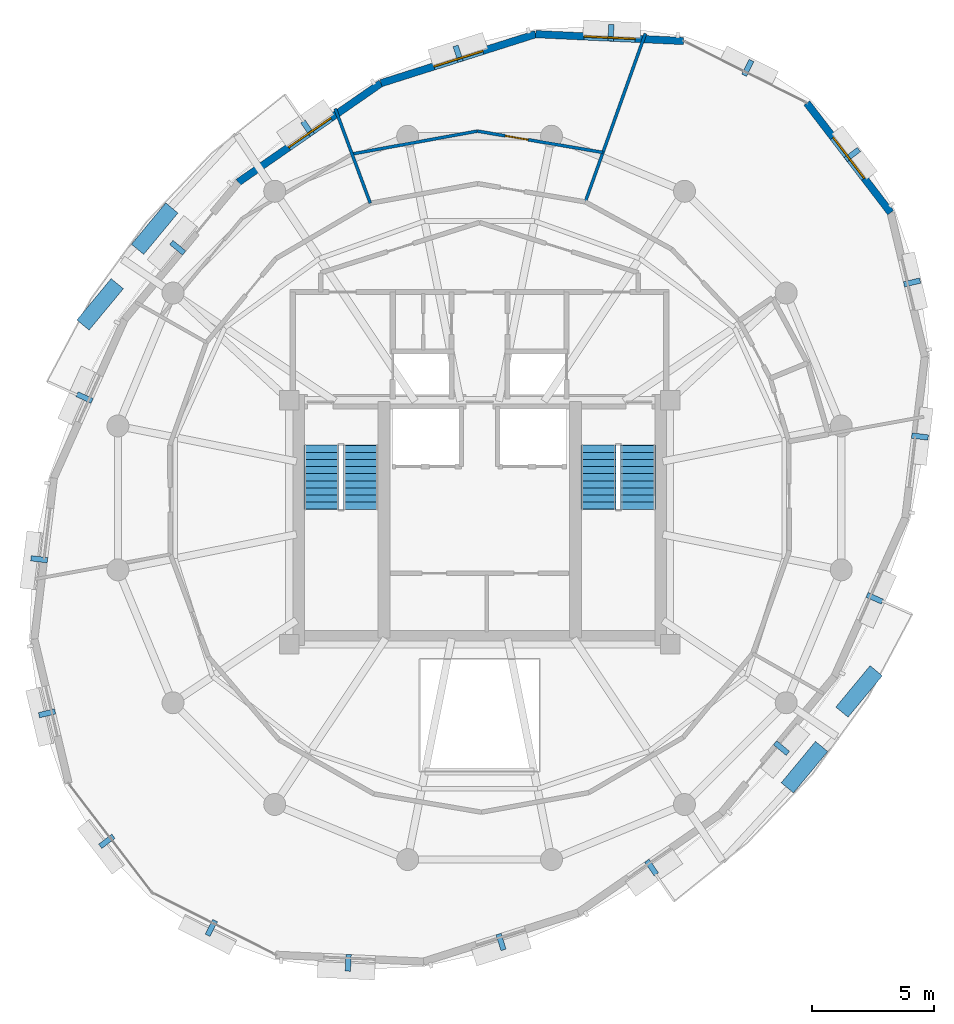
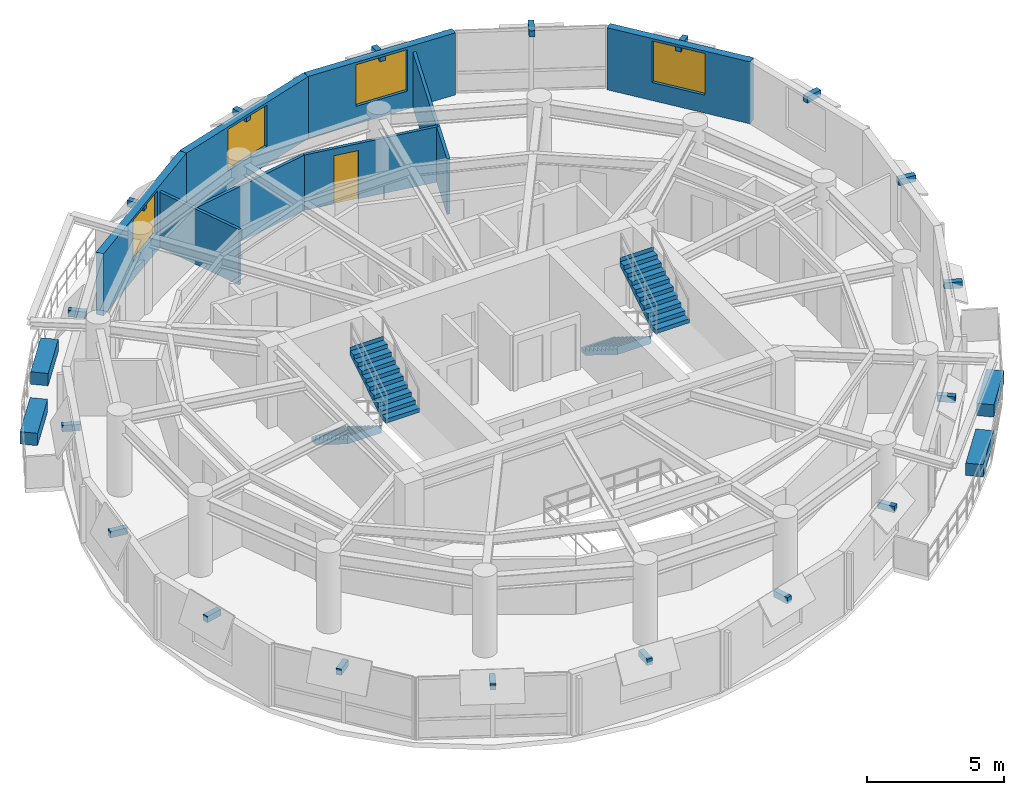
# One storey, part 9 of 11: 22 discrete accessories, 8 walls, 4 stair flights, 4 windows, 1 door, 5 openings, 2 elements without a shape of their own.
"""IFC4 building model written with IfcOpenShell, lengths in metres."""

from ifc_helpers import new_model, si_unit, direction, frame, frame_2d, origin, origin_2d, place, context, subcontext, project, spatial, polyline, rectangle, outline, extrude, material, layer, layer_set, type_object, element, fill, aggregate, save


model = new_model("IFC4")

# Units and contexts
model_context = context("Model", 3, precision=1e-05, world=origin(), true_north=direction((0.0, 1.0)))
body_context = subcontext(model_context, "Body", "Model", "MODEL_VIEW")
ifc_project = project(units=[si_unit("LENGTHUNIT", "METRE"), si_unit("AREAUNIT", "SQUARE_METRE"), si_unit("VOLUMEUNIT", "CUBIC_METRE"), si_unit("PLANEANGLEUNIT", "RADIAN"), si_unit("MASSUNIT", "GRAM", prefix="KILO"), si_unit("THERMODYNAMICTEMPERATUREUNIT", "KELVIN"), si_unit("POWERUNIT", "WATT")], contexts=[model_context])

# Site, building, storey
site_placement = place(None, origin())
site = spatial("IfcSite", under=ifc_project, at=site_placement, CompositionType="ELEMENT")
building_placement = place(site_placement, origin())
building = spatial("IfcBuilding", under=site, at=building_placement, Name="Ocrelia Relay Tower", CompositionType="ELEMENT")
storey_placement = place(building_placement, frame((0.0, 0.0, 241.199951171875)))
storey = spatial("IfcBuildingStorey", under=building, at=storey_placement, Name="L59", CompositionType="ELEMENT", Elevation=241.199951171875)

# Wall, opening, window
ifc_material_1 = material(Name="Precast concrete C40/50 with oxide terracotta", Category="masonry")
ifc_layer_1 = layer(ifc_material_1, 0.300048828125, Name="Precast concrete C40/50 with oxide terracotta")
ifc_layer_set_1 = layer_set([ifc_layer_1], Name="Precast concrete C40/50 with oxide terracotta")
wall_type_1 = type_object("IfcWallType", Name="W-EXT-TERR-300", PredefinedType="SOLIDWALL", material=ifc_layer_set_1)
wall_1_placement = place(storey_placement, frame((42.35205078125, 44.707763671875, 0.0), z_axis=(0.0, 0.0, 1.0), x_axis=(-0.998917432733, 0.046518411209, 0.0)))
wall_1 = element("IfcWall", 1, at=wall_1_placement, inside=storey, type_object=wall_type_1, Name="L59 Oxide Terracotta Facade Wall 02", PredefinedType="SOLIDWALL", context=body_context, shape_type="SweptSolid", body=[
    extrude(rectangle(XDim=6.061767578125, YDim=0.300048828125, at=frame_2d((3.03076171875, 0.0))), origin(), (0.0, 0.0, 1.0), 2.760009765625),
])
opening_1_placement = place(wall_1_placement, frame((1.98095703125, 0.0, 0.800048828125)))
opening_1 = element("IfcOpeningElement", 2, at=opening_1_placement, cuts=wall_1, Name="Opening W-07", PredefinedType="OPENING", context=body_context, shape_type="SweptSolid", body=[
    extrude(rectangle(XDim=2.10009765625, YDim=1.85009765625, at=frame_2d((1.050048828125, 0.925048828125))), frame((0.0, 0.16015625, 0.0), z_axis=(0.0, -1.0, 0.0), x_axis=(1.0, 0.0, 0.0)), (0.0, 0.0, 1.0), 0.320068359375),
])
ifc_material_2 = material(Name="Clear double-glazed low-E glass", Category="glass")
window_type = type_object("IfcWindowType", Name="WIN-Z4-2100x2200", PartitioningType="DOUBLE_PANEL_VERTICAL", PredefinedType="WINDOW", material=ifc_material_2)
window_1_placement = place(opening_1_placement, origin())
window_1 = element("IfcWindow", 3, at=window_1_placement, inside=storey, type_object=window_type, Name="L59 Facade Module Window 02", OverallHeight=1.85009765625, OverallWidth=2.10009765625, PartitioningType="SINGLE_PANEL", PredefinedType="WINDOW", context=body_context, shape_type="SweptSolid", body=[
    extrude(rectangle(XDim=2.10009765625, YDim=1.85009765625, at=frame_2d((1.050048828125, 0.925048828125))), frame((0.0, 0.030029296875, 0.0), z_axis=(0.0, -1.0, 0.0), x_axis=(1.0, 0.0, 0.0)), (0.0, 0.0, 1.0), 0.06005859375),
])
fill(opening_1, window_1)

wall_2_placement = place(storey_placement, frame((36.296875, 44.98974609375, 0.0), z_axis=(0.0, 0.0, 1.0), x_axis=(-0.953208683958, -0.302313090729, 0.0)))
wall_2 = element("IfcWall", 4, at=wall_2_placement, inside=storey, type_object=wall_type_1, Name="L59 Oxide Terracotta Facade Wall 03", PredefinedType="SOLIDWALL", context=body_context, shape_type="SweptSolid", body=[
    extrude(rectangle(XDim=6.64306640625, YDim=0.300048828125, at=frame_2d((3.321533203125, 0.0))), origin(), (0.0, 0.0, 1.0), 2.760009765625),
])
opening_2_placement = place(wall_2_placement, frame((2.27197265625, 0.0, 0.800048828125)))
opening_2 = element("IfcOpeningElement", 5, at=opening_2_placement, cuts=wall_2, Name="Opening W-07", PredefinedType="OPENING", context=body_context, shape_type="SweptSolid", body=[
    extrude(rectangle(XDim=2.10009765625, YDim=1.85009765625, at=frame_2d((1.050048828125, 0.925048828125))), frame((0.0, 0.16015625, 0.0), z_axis=(0.0, -1.0, 0.0), x_axis=(1.0, 0.0, 0.0)), (0.0, 0.0, 1.0), 0.320068359375),
])
window_2_placement = place(opening_2_placement, origin())
window_2 = element("IfcWindow", 6, at=window_2_placement, inside=storey, type_object=window_type, Name="L59 Facade Module Window 03", OverallHeight=1.85009765625, OverallWidth=2.10009765625, PartitioningType="SINGLE_PANEL", PredefinedType="WINDOW", context=body_context, shape_type="SweptSolid", body=[
    extrude(rectangle(XDim=2.10009765625, YDim=1.85009765625, at=frame_2d((1.050048828125, 0.925048828125))), frame((0.0, 0.030029296875, 0.0), z_axis=(0.0, -1.0, 0.0), x_axis=(1.0, 0.0, 0.0)), (0.0, 0.0, 1.0), 0.06005859375),
])
fill(opening_2, window_2)

wall_3_placement = place(storey_placement, frame((29.964599609375, 42.9814453125, 0.0), z_axis=(0.0, 0.0, 1.0), x_axis=(-0.821575322213, -0.570099982399, 0.0)))
wall_3 = element("IfcWall", 7, at=wall_3_placement, inside=storey, type_object=wall_type_1, Name="L59 Oxide Terracotta Facade Wall 04", PredefinedType="SOLIDWALL", context=body_context, shape_type="SweptSolid", body=[
    extrude(rectangle(XDim=7.115234375, YDim=0.300048828125, at=frame_2d((3.5576171875, 0.0))), origin(), (0.0, 0.0, 1.0), 2.760009765625),
])
opening_3_placement = place(wall_3_placement, frame((2.508056640625, 0.0, 0.800048828125)))
opening_3 = element("IfcOpeningElement", 8, at=opening_3_placement, cuts=wall_3, Name="Opening W-07", PredefinedType="OPENING", context=body_context, shape_type="SweptSolid", body=[
    extrude(rectangle(XDim=2.10009765625, YDim=1.85009765625, at=frame_2d((1.050048828125, 0.925048828125))), frame((0.0, 0.16015625, 0.0), z_axis=(0.0, -1.0, 0.0), x_axis=(1.0, 0.0, 0.0)), (0.0, 0.0, 1.0), 0.320068359375),
])
window_3_placement = place(opening_3_placement, origin())
window_3 = element("IfcWindow", 9, at=window_3_placement, inside=storey, type_object=window_type, Name="L59 Facade Module Window 04", OverallHeight=1.85009765625, OverallWidth=2.10009765625, PartitioningType="SINGLE_PANEL", PredefinedType="WINDOW", context=body_context, shape_type="SweptSolid", body=[
    extrude(rectangle(XDim=2.10009765625, YDim=1.85009765625, at=frame_2d((1.050048828125, 0.925048828125))), frame((0.0, 0.030029296875, 0.0), z_axis=(0.0, -1.0, 0.0), x_axis=(1.0, 0.0, 0.0)), (0.0, 0.0, 1.0), 0.06005859375),
])
fill(opening_3, window_3)

wall_4_placement = place(storey_placement, frame((50.831787109375, 37.680419921875, 0.0), z_axis=(0.0, 0.0, 1.0), x_axis=(-0.607371519301, 0.794417923729, 0.0)))
wall_4 = element("IfcWall", 10, at=wall_4_placement, inside=storey, type_object=wall_type_1, Name="L59 Oxide Terracotta Facade Wall 18", PredefinedType="SOLIDWALL", context=body_context, shape_type="SweptSolid", body=[
    extrude(rectangle(XDim=5.650390625, YDim=0.300048828125, at=frame_2d((2.8251953125, 0.0))), origin(), (0.0, 0.0, 1.0), 2.760009765625),
])
opening_4_placement = place(wall_4_placement, frame((1.77490234375, 0.0, 0.800048828125)))
opening_4 = element("IfcOpeningElement", 11, at=opening_4_placement, cuts=wall_4, Name="Opening W-07", PredefinedType="OPENING", context=body_context, shape_type="SweptSolid", body=[
    extrude(rectangle(XDim=2.10009765625, YDim=1.85009765625, at=frame_2d((1.050048828125, 0.925048828125))), frame((0.0, 0.16015625, 0.0), z_axis=(0.0, -1.0, 0.0), x_axis=(1.0, 0.0, 0.0)), (0.0, 0.0, 1.0), 0.320068359375),
])
window_4_placement = place(opening_4_placement, origin())
window_4 = element("IfcWindow", 12, at=window_4_placement, inside=storey, type_object=window_type, Name="L59 Facade Module Window 18", OverallHeight=1.85009765625, OverallWidth=2.10009765625, PartitioningType="SINGLE_PANEL", PredefinedType="WINDOW", context=body_context, shape_type="SweptSolid", body=[
    extrude(rectangle(XDim=2.10009765625, YDim=1.85009765625, at=frame_2d((1.050048828125, 0.925048828125))), frame((0.0, 0.030029296875, 0.0), z_axis=(0.0, -1.0, 0.0), x_axis=(1.0, 0.0, 0.0)), (0.0, 0.0, 1.0), 0.06005859375),
])
fill(opening_4, window_4)

# Walls
ifc_material_3 = material(Name="Acoustic Fireboard Partition EI60", Category="gypsum")
ifc_layer_2 = layer(ifc_material_3, 0.125, Name="Acoustic Fireboard Partition EI60")
ifc_layer_set_2 = layer_set([ifc_layer_2], Name="Acoustic Fireboard Partition EI60")
wall_type_2 = type_object("IfcWallType", Name="W-PART-125", PredefinedType="PARTITIONING", material=ifc_layer_set_2)
wall_5_placement = place(storey_placement, frame((38.327880859375, 38.12060546875, 0.0), z_axis=(0.0, 0.0, 1.0), x_axis=(0.33628356157, 0.941760779719, 0.0)))
element("IfcWall", 13, at=wall_5_placement, inside=storey, type_object=wall_type_2, Name="L59 Executive Boardroom Radial Partition", PredefinedType="PARTITIONING", context=body_context, shape_type="SweptSolid", body=[
    extrude(rectangle(XDim=7.318115234375, YDim=0.125, at=frame_2d((3.6591796875, 0.0))), origin(), (0.0, 0.0, 1.0), 2.4599609375),
])
wall_6_placement = place(storey_placement, frame((29.5244140625, 38.066650390625, 0.0), z_axis=(0.0, 0.0, 1.0), x_axis=(-0.347726358712, 0.937596064122, 0.0)))
element("IfcWall", 14, at=wall_6_placement, inside=storey, type_object=wall_type_2, Name="L59 Directorate Conference Room Radial Partition", PredefinedType="PARTITIONING", context=body_context, shape_type="SweptSolid", body=[
    extrude(rectangle(XDim=4.1298828125, YDim=0.125, at=frame_2d((2.06494140625, 0.0))), origin(), (0.0, 0.0, 1.0), 2.4599609375),
])

# Wall, opening, door
wall_7_placement = place(storey_placement, frame((39.05078125, 40.145263671875, 0.0), z_axis=(0.0, 0.0, 1.0), x_axis=(-0.985847184463, 0.167646440123, 0.0)))
wall_7 = element("IfcWall", 15, at=wall_7_placement, inside=storey, type_object=wall_type_2, Name="L59 Perimeter Directorate Conference Room Mid-Ring Partition 1", PredefinedType="PARTITIONING", context=body_context, shape_type="SweptSolid", body=[
    extrude(rectangle(XDim=5.21630859375, YDim=0.125, at=frame_2d((2.608154296875, 0.0))), origin(), (0.0, 0.0, 1.0), 2.4599609375),
])
opening_5_placement = place(wall_7_placement, frame((3.10986328125, 0.0, 0.0)))
opening_5 = element("IfcOpeningElement", 16, at=opening_5_placement, cuts=wall_7, Name="Opening D-RM95", PredefinedType="OPENING", context=body_context, shape_type="SweptSolid", body=[
    extrude(rectangle(XDim=0.949951171875, YDim=2.14990234375, at=frame_2d((0.47509765625, 1.074951171875))), frame((0.0, 0.072509765625, 0.0), z_axis=(0.0, -1.0, 0.0), x_axis=(1.0, 0.0, 0.0)), (0.0, 0.0, 1.0), 0.14501953125),
])
ifc_material_4 = material(Name="Acoustic oak veneer fire door", Category="wood")
door_type = type_object("IfcDoorType", Name="DR-ROOM-950", OperationType="NOTDEFINED", PredefinedType="DOOR", material=ifc_material_4)
door_placement = place(opening_5_placement, origin())
door = element("IfcDoor", 17, at=door_placement, inside=storey, type_object=door_type, Name="L59 Perimeter Directorate Conference Room Connecting Door", OperationType="SINGLE_SWING_RIGHT", OverallHeight=2.14990234375, OverallWidth=0.949951171875, PredefinedType="DOOR", context=body_context, shape_type="SweptSolid", body=[
    extrude(rectangle(XDim=0.949951171875, YDim=2.14990234375, at=frame_2d((0.47509765625, 1.074951171875))), frame((0.0, 0.02490234375, 0.0), z_axis=(0.0, -1.0, 0.0), x_axis=(1.0, 0.0, 0.0)), (0.0, 0.0, 1.0), 0.050048828125),
])
fill(opening_5, door)

# Wall
wall_8_placement = place(storey_placement, frame((33.908203125, 41.019775390625, 0.0), z_axis=(0.0, 0.0, 1.0), x_axis=(-0.983726569389, -0.179672025305, 0.0)))
element("IfcWall", 18, at=wall_8_placement, inside=storey, type_object=wall_type_2, Name="L59 Perimeter Directorate Conference Room Mid-Ring Partition 2", PredefinedType="PARTITIONING", context=body_context, shape_type="SweptSolid", body=[
    extrude(rectangle(XDim=5.216552734375, YDim=0.125, at=frame_2d((2.6083984375, 0.0))), origin(), (0.0, 0.0, 1.0), 2.4599609375),
])

# Stair, stair flights
ifc_material_5 = material(Name="Concrete C50/60", Category="concrete")
stair_type = type_object("IfcStairType", Name="ST-DL-1420-R180", PredefinedType="HALF_TURN_STAIR", material=ifc_material_5)
stair_1_placement = place(storey_placement, origin())
stair_1 = element("IfcStair", 19, at=stair_1_placement, inside=storey, type_object=stair_type, Name="L59 West Core Exit Stair ST1", PredefinedType="HALF_TURN_STAIR")
stair_flight_type = type_object("IfcStairFlightType", Name="STF-DL-1420-R180", PredefinedType="STRAIGHT", material=ifc_material_5)
stair_flight_1_placement = place(storey_placement, frame((27.52001953125, 28.14990234375, 0.0), z_axis=(0.0, 0.0, 1.0), x_axis=(0.0, -1.0, 0.0)))
stair_flight_1 = element("IfcStairFlight", 20, at=stair_flight_1_placement, type_object=stair_flight_type, Name="ST1 flight 1", NumberOfRisers=10, NumberOfTreads=9, PredefinedType="STRAIGHT", RiserHeight=0.18, TreadLength=0.29, context=body_context, shape_type="SweptSolid", body=[
    extrude(outline(polyline([(-0.008056640625, 0.0), (-0.008056640625, 0.179931640625), (0.0, 0.179931640625), (0.2900390625, 0.179931640625), (0.2900390625, 0.360107421875), (0.580078125, 0.360107421875), (0.580078125, 0.5400390625), (0.8701171875, 0.5400390625), (0.8701171875, 0.719970703125), (1.159912109375, 0.719970703125), (1.159912109375, 0.89990234375), (1.449951171875, 0.89990234375), (1.449951171875, 1.080078125), (1.739990234375, 1.080078125), (1.739990234375, 1.260009765625), (2.030029296875, 1.260009765625), (2.030029296875, 1.43994140625), (2.320068359375, 1.43994140625), (2.320068359375, 1.6201171875), (2.610107421875, 1.6201171875), (2.610107421875, 1.800048828125), (2.617919921875, 1.800048828125), (2.617919921875, 1.443603515625), (0.2841796875, 0.0), (-0.008056640625, 0.0)])), frame((0.0, 0.7099609375, 0.0), z_axis=(0.0, -1.0, 0.0), x_axis=(1.0, 0.0, 0.0)), (0.0, 0.0, 1.0), 1.419921875),
])
stair_flight_2_placement = place(storey_placement, frame((29.139892578125, 25.5400390625, 1.800048828125), z_axis=(0.0, 0.0, 1.0), x_axis=(0.0, 1.0, 0.0)))
stair_flight_2 = element("IfcStairFlight", 21, at=stair_flight_2_placement, type_object=stair_flight_type, Name="ST1 flight 2", NumberOfRisers=10, NumberOfTreads=9, PredefinedType="STRAIGHT", RiserHeight=0.18, TreadLength=0.29, context=body_context, shape_type="SweptSolid", body=[
    extrude(outline(polyline([(-0.008056640625, 0.0), (-0.008056640625, 0.179931640625), (0.0, 0.179931640625), (0.2900390625, 0.179931640625), (0.2900390625, 0.360107421875), (0.580078125, 0.360107421875), (0.580078125, 0.5400390625), (0.8701171875, 0.5400390625), (0.8701171875, 0.719970703125), (1.159912109375, 0.719970703125), (1.159912109375, 0.89990234375), (1.449951171875, 0.89990234375), (1.449951171875, 1.080078125), (1.739990234375, 1.080078125), (1.739990234375, 1.260009765625), (2.030029296875, 1.260009765625), (2.030029296875, 1.43994140625), (2.320068359375, 1.43994140625), (2.320068359375, 1.6201171875), (2.610107421875, 1.6201171875), (2.610107421875, 1.800048828125), (2.617919921875, 1.800048828125), (2.617919921875, 1.443603515625), (0.2841796875, 0.0), (-0.008056640625, 0.0)])), frame((0.0, 0.7099609375, 0.0), z_axis=(0.0, -1.0, 0.0), x_axis=(1.0, 0.0, 0.0)), (0.0, 0.0, 1.0), 1.419921875),
])
aggregate(stair_1, [stair_flight_1, stair_flight_2])

stair_2_placement = place(storey_placement, origin())
stair_2 = element("IfcStair", 22, at=stair_2_placement, inside=storey, type_object=stair_type, Name="L59 East Core Exit Stair ST2", PredefinedType="HALF_TURN_STAIR")
stair_flight_3_placement = place(storey_placement, frame((38.8701171875, 28.14990234375, 0.0), z_axis=(0.0, 0.0, 1.0), x_axis=(0.0, -1.0, 0.0)))
stair_flight_3 = element("IfcStairFlight", 23, at=stair_flight_3_placement, type_object=stair_flight_type, Name="ST2 flight 1", NumberOfRisers=10, NumberOfTreads=9, PredefinedType="STRAIGHT", RiserHeight=0.18, TreadLength=0.29, context=body_context, shape_type="SweptSolid", body=[
    extrude(outline(polyline([(-0.008056640625, 0.0), (-0.008056640625, 0.179931640625), (0.0, 0.179931640625), (0.2900390625, 0.179931640625), (0.2900390625, 0.360107421875), (0.580078125, 0.360107421875), (0.580078125, 0.5400390625), (0.8701171875, 0.5400390625), (0.8701171875, 0.719970703125), (1.159912109375, 0.719970703125), (1.159912109375, 0.89990234375), (1.449951171875, 0.89990234375), (1.449951171875, 1.080078125), (1.739990234375, 1.080078125), (1.739990234375, 1.260009765625), (2.030029296875, 1.260009765625), (2.030029296875, 1.43994140625), (2.320068359375, 1.43994140625), (2.320068359375, 1.6201171875), (2.610107421875, 1.6201171875), (2.610107421875, 1.800048828125), (2.617919921875, 1.800048828125), (2.617919921875, 1.443603515625), (0.2841796875, 0.0), (-0.008056640625, 0.0)])), frame((0.0, 0.7099609375, 0.0), z_axis=(0.0, -1.0, 0.0), x_axis=(1.0, 0.0, 0.0)), (0.0, 0.0, 1.0), 1.419921875),
])
stair_flight_4_placement = place(storey_placement, frame((40.489990234375, 25.5400390625, 1.800048828125), z_axis=(0.0, 0.0, 1.0), x_axis=(0.0, 1.0, 0.0)))
stair_flight_4 = element("IfcStairFlight", 24, at=stair_flight_4_placement, type_object=stair_flight_type, Name="ST2 flight 2", NumberOfRisers=10, NumberOfTreads=9, PredefinedType="STRAIGHT", RiserHeight=0.18, TreadLength=0.29, context=body_context, shape_type="SweptSolid", body=[
    extrude(outline(polyline([(-0.008056640625, 0.0), (-0.008056640625, 0.179931640625), (0.0, 0.179931640625), (0.2900390625, 0.179931640625), (0.2900390625, 0.360107421875), (0.580078125, 0.360107421875), (0.580078125, 0.5400390625), (0.8701171875, 0.5400390625), (0.8701171875, 0.719970703125), (1.159912109375, 0.719970703125), (1.159912109375, 0.89990234375), (1.449951171875, 0.89990234375), (1.449951171875, 1.080078125), (1.739990234375, 1.080078125), (1.739990234375, 1.260009765625), (2.030029296875, 1.260009765625), (2.030029296875, 1.43994140625), (2.320068359375, 1.43994140625), (2.320068359375, 1.6201171875), (2.610107421875, 1.6201171875), (2.610107421875, 1.800048828125), (2.617919921875, 1.800048828125), (2.617919921875, 1.443603515625), (0.2841796875, 0.0), (-0.008056640625, 0.0)])), frame((0.0, 0.7099609375, 0.0), z_axis=(0.0, -1.0, 0.0), x_axis=(1.0, 0.0, 0.0)), (0.0, 0.0, 1.0), 1.419921875),
])
aggregate(stair_2, [stair_flight_3, stair_flight_4])

# Discrete accessories
ifc_material_6 = material(Name="Precast concrete C40/50 planter with highland greenery", Category="concrete")
discrete_accessory_type_1 = type_object("IfcDiscreteAccessoryType", Name="ACC-BALC-PLANTER", PredefinedType="USERDEFINED", material=ifc_material_6)
for number, where, z_axis, x_axis, name in (
    (25, (20.697021484375, 37.024658203125, 0.0), (0.0, 0.0, 1.0), (0.638098341889, 0.769954872754, 0.0), "L59 Balcony Terracotta Planter with Greenery B1"),
    (26, (18.46142578125, 33.925048828125, 0.0), (0.0, 0.0, 1.0), (0.638098341889, 0.769954872754, 0.0), "L59 Balcony Terracotta Planter B1-2"),
    (27, (47.302978515625, 14.975341796875, 0.0), (0.0, 0.0, 1.0), (-0.638098341889, -0.769954872754, 0.0), "L59 Balcony Terracotta Planter with Greenery B2"),
    (28, (49.53857421875, 18.074951171875, 0.0), (0.0, 0.0, 1.0), (-0.638098341889, -0.769954872754, 0.0), "L59 Balcony Terracotta Planter B2-2"),
):
    element("IfcDiscreteAccessory", number, at=place(storey_placement, frame(where, z_axis=z_axis, x_axis=x_axis)), inside=storey, type_object=discrete_accessory_type_1, Name=name, ObjectType="PLANTER", PredefinedType="USERDEFINED", context=body_context, shape_type="SweptSolid", body=[
        extrude(rectangle(XDim=2.199951171875, YDim=0.64990234375, at=origin_2d()), origin(), (0.0, 0.0, 1.0), 0.550048828125),
    ])
ifc_material_7 = material(Name="Steel S355", Category="steel")
discrete_accessory_type_2 = type_object("IfcDiscreteAccessoryType", Name="ACC-VISOR-BRACKET", PredefinedType="BRACKET", material=ifc_material_7)
for number, where, z_axis, x_axis, name in (
    (29, (44.98193359375, 43.608154296875, 2.4599609375), (0.0, 0.0, 1.0), (-0.893387671077, 0.449286622511, 0.0), "L59 Visor Mounting Bracket 01"),
    (30, (39.37890625, 45.041259765625, 2.4599609375), (0.0, 0.0, 1.0), (-0.998916575596, 0.046536813373, 0.0), "L59 Visor Mounting Bracket 02"),
    (31, (33.12109375, 44.185302734375, 2.4599609375), (0.0, 0.0, 1.0), (-0.953209056413, -0.302311916358, 0.0), "L59 Visor Mounting Bracket 03"),
    (32, (26.957275390625, 41.134521484375, 2.4599609375), (0.0, 0.0, 1.0), (-0.8215637972, -0.570116590822, 0.0), "L59 Visor Mounting Bracket 04"),
    (33, (21.637939453125, 36.244873046875, 2.4599609375), (0.0, 0.0, 1.0), (-0.638095676006, -0.769957082091, 0.0), "L59 Visor Mounting Bracket 05"),
    (34, (17.821044921875, 30.110107421875, 2.4599609375), (0.0, 0.0, 1.0), (-0.407663605571, -0.913132183582, 0.0), "L59 Visor Mounting Bracket 06"),
    (35, (15.967529296875, 23.4873046875, 2.4599609375), (0.0, 0.0, 1.0), (-0.120078267848, -0.992764428045, 0.0), "L59 Visor Mounting Bracket 07"),
    (36, (16.28857421875, 17.17919921875, 2.4599609375), (0.0, 0.0, 1.0), (0.23120047848, -0.972906130493, 0.0), "L59 Visor Mounting Bracket 08"),
    (37, (18.737060546875, 11.939697265625, 2.4599609375), (0.0, 0.0, 1.0), (0.607348280111, -0.794435690693, 0.0), "L59 Visor Mounting Bracket 09"),
    (38, (23.01806640625, 8.391845703125, 2.4599609375), (0.0, 0.0, 1.0), (0.893387671077, -0.449286622511, 0.0), "L59 Visor Mounting Bracket 10"),
    (39, (28.62109375, 6.958740234375, 2.4599609375), (0.0, 0.0, 1.0), (0.998916575596, -0.046536813373, 0.0), "L59 Visor Mounting Bracket 11"),
    (40, (34.87890625, 7.814697265625, 2.4599609375), (0.0, 0.0, 1.0), (0.953209056413, 0.302311916358, 0.0), "L59 Visor Mounting Bracket 12"),
    (41, (41.042724609375, 10.865478515625, 2.4599609375), (0.0, 0.0, 1.0), (0.8215637972, 0.570116590822, 0.0), "L59 Visor Mounting Bracket 13"),
    (42, (46.362060546875, 15.755126953125, 2.4599609375), (0.0, 0.0, 1.0), (0.638095676006, 0.769957082091, 0.0), "L59 Visor Mounting Bracket 14"),
    (43, (50.178955078125, 21.889892578125, 2.4599609375), (0.0, 0.0, 1.0), (0.407663605571, 0.913132183582, 0.0), "L59 Visor Mounting Bracket 15"),
    (44, (52.032470703125, 28.5126953125, 2.4599609375), (0.0, 0.0, 1.0), (0.120078267848, 0.992764428045, 0.0), "L59 Visor Mounting Bracket 16"),
    (45, (51.71142578125, 34.82080078125, 2.4599609375), (0.0, 0.0, 1.0), (-0.23120047848, 0.972906130493, 0.0), "L59 Visor Mounting Bracket 17"),
    (46, (49.262939453125, 40.060302734375, 2.4599609375), (0.0, 0.0, 1.0), (-0.607348280111, 0.794435690693, 0.0), "L59 Visor Mounting Bracket 18"),
):
    element("IfcDiscreteAccessory", number, at=place(storey_placement, frame(where, z_axis=z_axis, x_axis=x_axis)), inside=storey, type_object=discrete_accessory_type_2, Name=name, PredefinedType="BRACKET", context=body_context, shape_type="SweptSolid", body=[
        extrude(rectangle(XDim=0.219970703125, YDim=0.679931640625, at=origin_2d()), origin(), (0.0, 0.0, 1.0), 0.280029296875),
    ])

save(model, "model.ifc")
